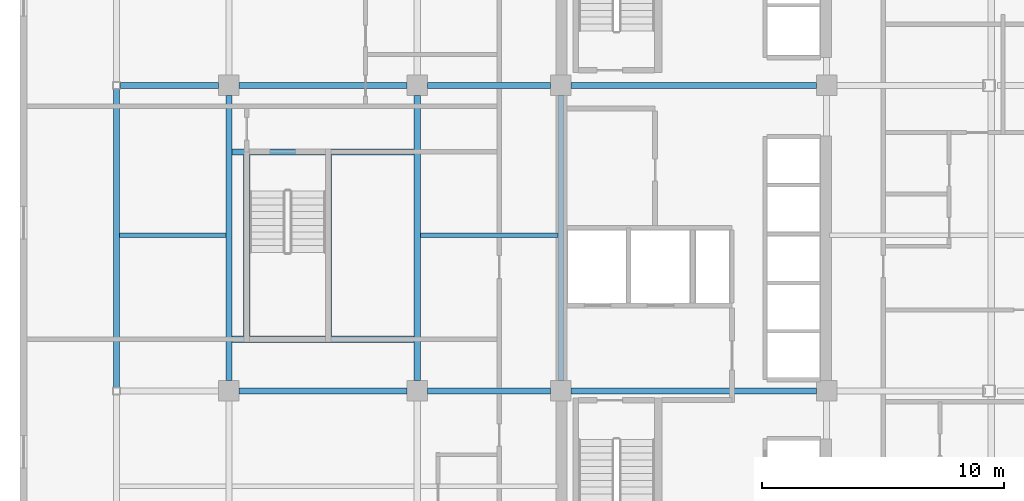
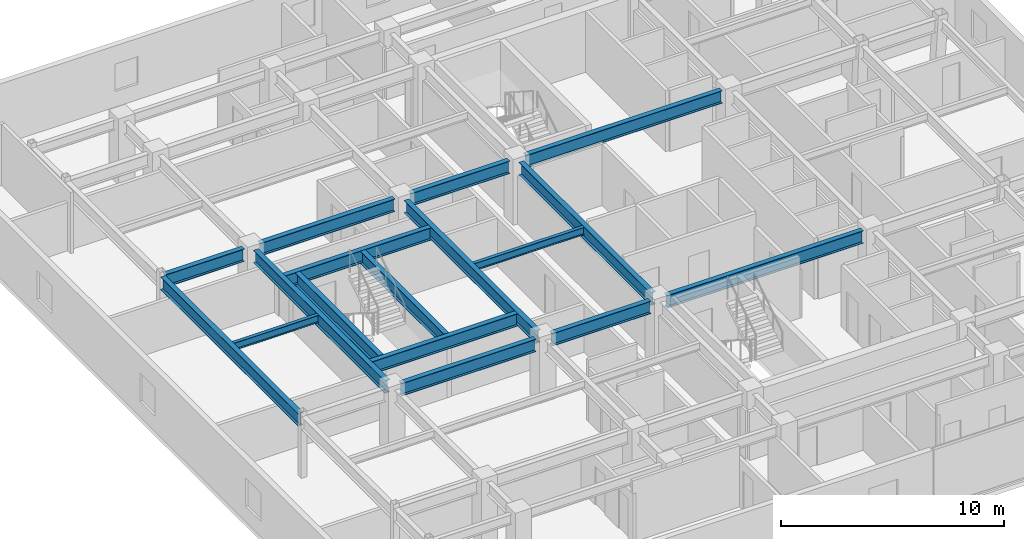
# One storey, part 5 of 13: 17 beams.
"""IFC4 building model written with IfcOpenShell, lengths in metres."""

from ifc_helpers import new_model, si_unit, direction, frame, origin, origin_2d, place, context, subcontext, project, spatial, i_section, extrude, material, material_profile, profile_set, type_object, element, save


model = new_model("IFC4")

# Units and contexts
model_context = context("Model", 3, precision=1e-05, world=origin(), true_north=direction((0.0, 1.0)))
body_context = subcontext(model_context, "Body", "Model", "MODEL_VIEW")
ifc_project = project(units=[si_unit("LENGTHUNIT", "METRE"), si_unit("AREAUNIT", "SQUARE_METRE"), si_unit("VOLUMEUNIT", "CUBIC_METRE"), si_unit("PLANEANGLEUNIT", "RADIAN"), si_unit("MASSUNIT", "GRAM", prefix="KILO")], contexts=[model_context])

# Site, building, storey
site_placement = place(None, origin())
site = spatial("IfcSite", under=ifc_project, at=site_placement, CompositionType="ELEMENT")
building_placement = place(site_placement, origin())
building = spatial("IfcBuilding", under=site, at=building_placement, Name="Ochreholt Gables", CompositionType="ELEMENT")
storey_placement = place(building_placement, frame((0.0, 0.0, 56.39990234375)))
storey = spatial("IfcBuildingStorey", under=building, at=storey_placement, Name="L14", CompositionType="ELEMENT", Elevation=56.39990234375)

# Beams
ifc_material = material(Name="Steel CSA G40.21 350W", Category="steel")
ifc_material_profile_1 = material_profile(ifc_material, i_section(OverallWidth=0.256103515625, OverallDepth=0.693115234375, WebThickness=0.014404296875, FlangeThickness=0.023681640625, at=origin_2d()), Name="W690X170")
ifc_profile_set_1 = profile_set([ifc_material_profile_1], Name="Steel CSA G40.21 350W")
beam_type_1 = type_object("IfcBeamType", Name="BM-G-W690", PredefinedType="BEAM", material=ifc_profile_set_1)
beam_1_placement = place(storey_placement, frame((10.87451171875, 17.550048828125, 3.003662109375), z_axis=(1.0, 0.0, 0.0), x_axis=(0.0, 1.0, 0.0)))
element("IfcBeam", 1, at=beam_1_placement, inside=storey, type_object=beam_type_1, Name="L14 Beam TBG-L14-W2W3-Y3", PredefinedType="BEAM", context=body_context, shape_type="SweptSolid", body=[
    extrude(i_section(OverallWidth=0.256103515625, OverallDepth=0.693115234375, WebThickness=0.014404296875, FlangeThickness=0.023681640625, at=origin_2d()), origin(), (0.0, 0.0, 1.0), 6.950927734375),
])
beam_2_placement = place(storey_placement, frame((18.674560546875, 17.550048828125, 3.003662109375), z_axis=(1.0, 0.0, 0.0), x_axis=(0.0, 1.0, 0.0)))
element("IfcBeam", 2, at=beam_2_placement, inside=storey, type_object=beam_type_1, Name="L14 Beam TBG-L14-W3C1-Y3", PredefinedType="BEAM", context=body_context, shape_type="SweptSolid", body=[
    extrude(i_section(OverallWidth=0.256103515625, OverallDepth=0.693115234375, WebThickness=0.014404296875, FlangeThickness=0.023681640625, at=origin_2d()), origin(), (0.0, 0.0, 1.0), 5.100830078125),
])
beam_3_placement = place(storey_placement, frame((24.62451171875, 17.550048828125, 3.003662109375), z_axis=(1.0, 0.0, 0.0), x_axis=(0.0, 1.0, 0.0)))
element("IfcBeam", 3, at=beam_3_placement, inside=storey, type_object=beam_type_1, Name="L14 Beam TBG-L14-C1C2-Y3", PredefinedType="BEAM", context=body_context, shape_type="SweptSolid", body=[
    extrude(i_section(OverallWidth=0.256103515625, OverallDepth=0.693115234375, WebThickness=0.014404296875, FlangeThickness=0.023681640625, at=origin_2d()), origin(), (0.0, 0.0, 1.0), 10.15087890625),
])
beam_4_placement = place(storey_placement, frame((5.9521484375, 30.199951171875, 3.003662109375), z_axis=(1.0, 0.0, 0.0), x_axis=(0.0, 1.0, 0.0)))
element("IfcBeam", 4, at=beam_4_placement, inside=storey, type_object=beam_type_1, Name="L14 Beam TBG-L14-WTW2-Y4", PredefinedType="BEAM", context=body_context, shape_type="SweptSolid", body=[
    extrude(i_section(OverallWidth=0.256103515625, OverallDepth=0.693115234375, WebThickness=0.014404296875, FlangeThickness=0.023681640625, at=origin_2d()), origin(), (0.0, 0.0, 1.0), 4.0732421875),
])
beam_5_placement = place(storey_placement, frame((10.87451171875, 30.199951171875, 3.003662109375), z_axis=(1.0, 0.0, 0.0), x_axis=(0.0, 1.0, 0.0)))
element("IfcBeam", 5, at=beam_5_placement, inside=storey, type_object=beam_type_1, Name="L14 Beam TBG-L14-W2W3-Y4", PredefinedType="BEAM", context=body_context, shape_type="SweptSolid", body=[
    extrude(i_section(OverallWidth=0.256103515625, OverallDepth=0.693115234375, WebThickness=0.014404296875, FlangeThickness=0.023681640625, at=origin_2d()), origin(), (0.0, 0.0, 1.0), 6.950927734375),
])
beam_6_placement = place(storey_placement, frame((18.674560546875, 30.199951171875, 3.003662109375), z_axis=(1.0, 0.0, 0.0), x_axis=(0.0, 1.0, 0.0)))
element("IfcBeam", 6, at=beam_6_placement, inside=storey, type_object=beam_type_1, Name="L14 Beam TBG-L14-W3C1-Y4", PredefinedType="BEAM", context=body_context, shape_type="SweptSolid", body=[
    extrude(i_section(OverallWidth=0.256103515625, OverallDepth=0.693115234375, WebThickness=0.014404296875, FlangeThickness=0.023681640625, at=origin_2d()), origin(), (0.0, 0.0, 1.0), 5.100830078125),
])
beam_7_placement = place(storey_placement, frame((24.62451171875, 30.199951171875, 3.003662109375), z_axis=(1.0, 0.0, 0.0), x_axis=(0.0, 1.0, 0.0)))
element("IfcBeam", 7, at=beam_7_placement, inside=storey, type_object=beam_type_1, Name="L14 Beam TBG-L14-C1C2-Y4", PredefinedType="BEAM", context=body_context, shape_type="SweptSolid", body=[
    extrude(i_section(OverallWidth=0.256103515625, OverallDepth=0.693115234375, WebThickness=0.014404296875, FlangeThickness=0.023681640625, at=origin_2d()), origin(), (0.0, 0.0, 1.0), 10.15087890625),
])
beam_8_placement = place(storey_placement, frame((5.800048828125, 17.7021484375, 3.003662109375), z_axis=(0.0, 1.0, 0.0), x_axis=(-1.0, 0.0, 0.0)))
element("IfcBeam", 8, at=beam_8_placement, inside=storey, type_object=beam_type_1, Name="L14 Beam TBN-L14-WT-Y3Y4", PredefinedType="BEAM", context=body_context, shape_type="SweptSolid", body=[
    extrude(i_section(OverallWidth=0.256103515625, OverallDepth=0.693115234375, WebThickness=0.014404296875, FlangeThickness=0.023681640625, at=origin_2d()), origin(), (0.0, 0.0, 1.0), 12.345703125),
])
for number, where, z_axis, x_axis, name in (
    (9, (10.449951171875, 17.974609375, 3.003662109375), (0.0, 1.0, 0.0), (-1.0, 0.0, 0.0), "L14 Beam TBN-L14-W2-Y3Y4"),
    (10, (18.25, 17.974609375, 3.003662109375), (0.0, 1.0, 0.0), (-1.0, 0.0, 0.0), "L14 Beam TBN-L14-W3-Y3Y4"),
    (11, (24.199951171875, 17.974609375, 3.003662109375), (0.0, 1.0, 0.0), (-1.0, 0.0, 0.0), "L14 Beam TBN-L14-C1-Y3Y4"),
):
    element("IfcBeam", number, at=place(storey_placement, frame(where, z_axis=z_axis, x_axis=x_axis)), inside=storey, type_object=beam_type_1, Name=name, PredefinedType="BEAM", context=body_context, shape_type="SweptSolid", body=[
        extrude(i_section(OverallWidth=0.256103515625, OverallDepth=0.693115234375, WebThickness=0.014404296875, FlangeThickness=0.023681640625, at=origin_2d()), origin(), (0.0, 0.0, 1.0), 11.80078125),
    ])
for number, where, z_axis, x_axis, name in (
    (12, (10.57763671875, 19.68994140625, 3.003662109375), (1.0, 0.0, 0.0), (0.0, 1.0, 0.0), "L14 Beam TBH-L14-ST-C1-FSTUS"),
    (13, (10.57763671875, 27.449951171875, 3.003662109375), (1.0, 0.0, 0.0), (0.0, 1.0, 0.0), "L14 Beam TBH-L14-ST-C1-FSTUN"),
):
    element("IfcBeam", number, at=place(storey_placement, frame(where, z_axis=z_axis, x_axis=x_axis)), inside=storey, type_object=beam_type_1, Name=name, PredefinedType="BEAM", context=body_context, shape_type="SweptSolid", body=[
        extrude(i_section(OverallWidth=0.256103515625, OverallDepth=0.693115234375, WebThickness=0.014404296875, FlangeThickness=0.023681640625, at=origin_2d()), origin(), (0.0, 0.0, 1.0), 7.544677734375),
    ])
for number, where, z_axis, x_axis, name in (
    (14, (11.18994140625, 19.817626953125, 3.003662109375), (0.0, 1.0, 0.0), (-1.0, 0.0, 0.0), "L14 Beam TBT-L14-ST-C1-FSTUW"),
    (15, (14.570068359375, 19.817626953125, 3.003662109375), (0.0, 1.0, 0.0), (-1.0, 0.0, 0.0), "L14 Beam TBT-L14-ST-C1-FSTUE"),
):
    element("IfcBeam", number, at=place(storey_placement, frame(where, z_axis=z_axis, x_axis=x_axis)), inside=storey, type_object=beam_type_1, Name=name, PredefinedType="BEAM", context=body_context, shape_type="SweptSolid", body=[
        extrude(i_section(OverallWidth=0.256103515625, OverallDepth=0.693115234375, WebThickness=0.014404296875, FlangeThickness=0.023681640625, at=origin_2d()), origin(), (0.0, 0.0, 1.0), 7.5048828125),
    ])
ifc_material_profile_2 = material_profile(ifc_material, i_section(OverallWidth=0.178955078125, OverallDepth=0.409912109375, WebThickness=0.0087890625, FlangeThickness=0.014404296875, at=origin_2d()), Name="W410X67")
ifc_profile_set_2 = profile_set([ifc_material_profile_2], Name="Steel CSA G40.21 350W")
beam_type_2 = type_object("IfcBeamType", Name="BM-J-W410", PredefinedType="JOIST", material=ifc_profile_set_2)
beam_9_placement = place(storey_placement, frame((5.927490234375, 24.0, 3.14501953125), z_axis=(1.0, 0.0, 0.0), x_axis=(0.0, 1.0, 0.0)))
element("IfcBeam", 16, at=beam_9_placement, inside=storey, type_object=beam_type_2, Name="L14 Beam TBJ-L14-J2-WTW2", PredefinedType="JOIST", context=body_context, shape_type="SweptSolid", body=[
    extrude(i_section(OverallWidth=0.178955078125, OverallDepth=0.409912109375, WebThickness=0.0087890625, FlangeThickness=0.014404296875, at=origin_2d()), origin(), (0.0, 0.0, 1.0), 4.39501953125),
])
beam_10_placement = place(storey_placement, frame((18.377685546875, 24.0, 3.14501953125), z_axis=(1.0, 0.0, 0.0), x_axis=(0.0, 1.0, 0.0)))
element("IfcBeam", 17, at=beam_10_placement, inside=storey, type_object=beam_type_2, Name="L14 Beam TBJ-L14-J2-W3C1", PredefinedType="JOIST", context=body_context, shape_type="SweptSolid", body=[
    extrude(i_section(OverallWidth=0.178955078125, OverallDepth=0.409912109375, WebThickness=0.0087890625, FlangeThickness=0.014404296875, at=origin_2d()), origin(), (0.0, 0.0, 1.0), 5.69482421875),
])

save(model, "model.ifc")
